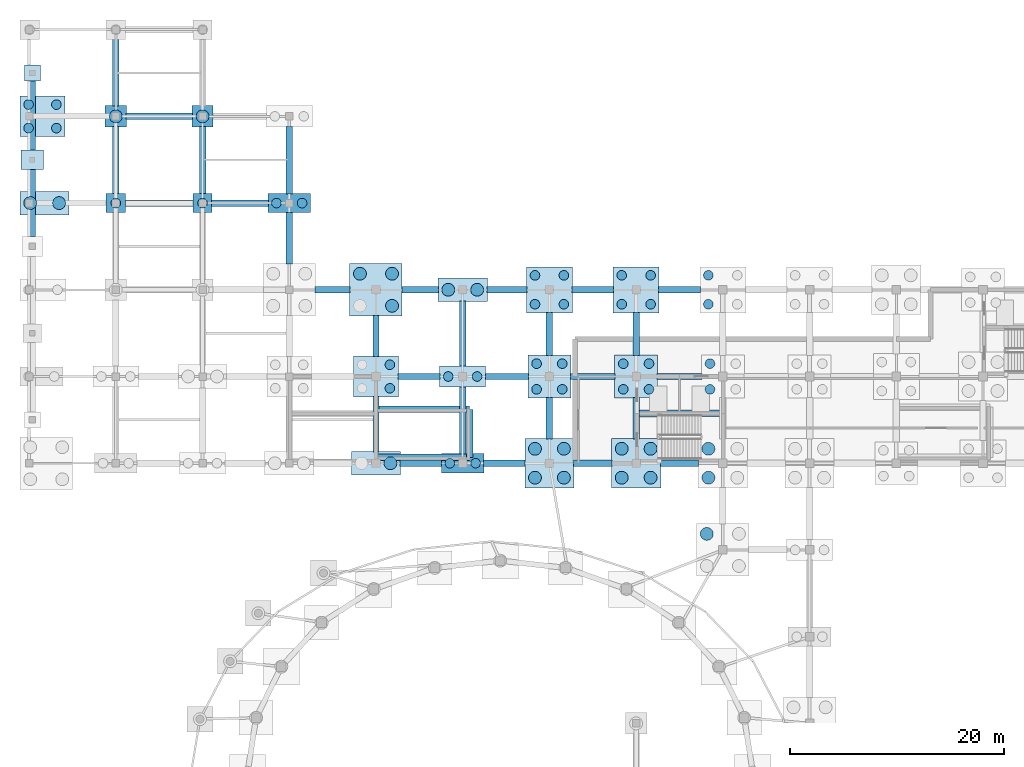
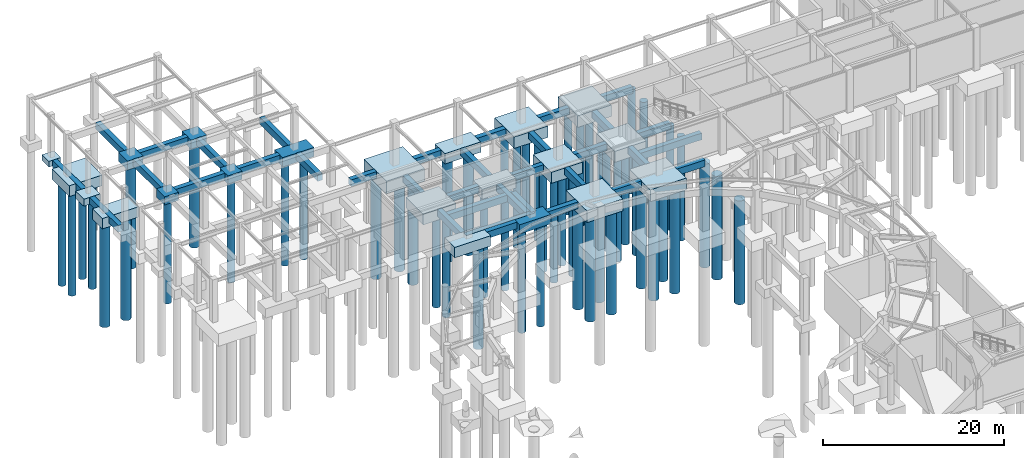
# One storey, part 4 of 26: 56 footings, 55 piles.
"""IFC4 building model written with IfcOpenShell, lengths in metres."""

from ifc_helpers import new_model, si_unit, direction, frame, origin, origin_2d, place, context, subcontext, project, spatial, rectangle, circle, extrude, material, material_profile, profile_set, type_object, element, save


model = new_model("IFC4")

# Units and contexts
model_context = context("Model", 3, precision=1e-05, world=origin(), true_north=direction((0.0, 1.0)))
body_context = subcontext(model_context, "Body", "Model", "MODEL_VIEW")
ifc_project = project(units=[si_unit("LENGTHUNIT", "METRE"), si_unit("AREAUNIT", "SQUARE_METRE"), si_unit("VOLUMEUNIT", "CUBIC_METRE"), si_unit("PLANEANGLEUNIT", "RADIAN"), si_unit("MASSUNIT", "GRAM", prefix="KILO")], contexts=[model_context])

# Site, building, storey
site_placement = place(None, origin())
site = spatial("IfcSite", under=ifc_project, at=site_placement, CompositionType="ELEMENT")
building_placement = place(site_placement, origin())
building = spatial("IfcBuilding", under=site, at=building_placement, Name="Parian Resonance Hall", CompositionType="ELEMENT")
storey_placement = place(building_placement, frame((0.0, 0.0, -5.39990234375)))
storey = spatial("IfcBuildingStorey", under=building, at=storey_placement, Name="B1", CompositionType="ELEMENT", Elevation=-5.39990234375)

# Footings
ifc_material_1 = material(Name="Concrete C35/45", Category="concrete")
ifc_material_profile_1 = material_profile(ifc_material_1, rectangle(XDim=0.60009765625, YDim=0.89990234375, at=origin_2d()), Name="RC-GB-600x900")
ifc_profile_set_1 = profile_set([ifc_material_profile_1], Name="Concrete C35/45")
footing_type_1 = type_object("IfcFootingType", Name="GB-600x900", PredefinedType="FOOTING_BEAM", material=ifc_profile_set_1)
footing_1_placement = place(storey_placement, frame((0.300048828125, 94.06005859375, -0.85009765625), z_axis=(0.0, 1.0, 0.0), x_axis=(-1.0, 0.0, 0.0)))
element("IfcFooting", 1, at=footing_1_placement, inside=storey, type_object=footing_type_1, Name="Foundation tie beam B1-003", PredefinedType="FOOTING_BEAM", context=body_context, shape_type="SweptSolid", body=[
    extrude(rectangle(XDim=0.60009765625, YDim=0.89990234375, at=origin_2d()), origin(), (0.0, 0.0, 1.0), 6.329833984375),
])
footing_2_placement = place(storey_placement, frame((0.300048828125, 102.110107421875, -0.85009765625), z_axis=(0.0, 1.0, 0.0), x_axis=(-1.0, 0.0, 0.0)))
element("IfcFooting", 2, at=footing_2_placement, inside=storey, type_object=footing_type_1, Name="Foundation tie beam B1-004", PredefinedType="FOOTING_BEAM", context=body_context, shape_type="SweptSolid", body=[
    extrude(rectangle(XDim=0.60009765625, YDim=0.89990234375, at=origin_2d()), origin(), (0.0, 0.0, 1.0), 6.52978515625),
])
footing_3_placement = place(storey_placement, frame((8.9599609375, 97.199951171875, -0.85009765625), z_axis=(1.0, 0.0, 0.0), x_axis=(0.0, 1.0, 0.0)))
element("IfcFooting", 3, at=footing_3_placement, inside=storey, type_object=footing_type_1, Name="Foundation tie beam B1-011", PredefinedType="FOOTING_BEAM", context=body_context, shape_type="SweptSolid", body=[
    extrude(rectangle(XDim=0.60009765625, YDim=0.89990234375, at=origin_2d()), origin(), (0.0, 0.0, 1.0), 6.380126953125),
])
footing_4_placement = place(storey_placement, frame((8.10009765625, 98.06005859375, -0.85009765625), z_axis=(0.0, 1.0, 0.0), x_axis=(-1.0, 0.0, 0.0)))
element("IfcFooting", 4, at=footing_4_placement, inside=storey, type_object=footing_type_1, Name="Foundation tie beam B1-012", PredefinedType="FOOTING_BEAM", context=body_context, shape_type="SweptSolid", body=[
    extrude(rectangle(XDim=0.60009765625, YDim=0.89990234375, at=origin_2d()), origin(), (0.0, 0.0, 1.0), 6.280029296875),
])
footing_5_placement = place(storey_placement, frame((9.06005859375, 105.300048828125, -0.85009765625), z_axis=(1.0, 0.0, 0.0), x_axis=(0.0, 1.0, 0.0)))
element("IfcFooting", 5, at=footing_5_placement, inside=storey, type_object=footing_type_1, Name="Foundation tie beam B1-013", PredefinedType="FOOTING_BEAM", context=body_context, shape_type="SweptSolid", body=[
    extrude(rectangle(XDim=0.60009765625, YDim=0.89990234375, at=origin_2d()), origin(), (0.0, 0.0, 1.0), 6.179931640625),
])
footing_6_placement = place(storey_placement, frame((8.10009765625, 106.260009765625, -0.85009765625), z_axis=(0.0, 1.0, 0.0), x_axis=(-1.0, 0.0, 0.0)))
element("IfcFooting", 6, at=footing_6_placement, inside=storey, type_object=footing_type_1, Name="Foundation tie beam B1-014", PredefinedType="FOOTING_BEAM", context=body_context, shape_type="SweptSolid", body=[
    extrude(rectangle(XDim=0.60009765625, YDim=0.89990234375, at=origin_2d()), origin(), (0.0, 0.0, 1.0), 6.280029296875),
])
footing_7_placement = place(storey_placement, frame((17.06005859375, 97.199951171875, -0.85009765625), z_axis=(1.0, 0.0, 0.0), x_axis=(0.0, 1.0, 0.0)))
element("IfcFooting", 7, at=footing_7_placement, inside=storey, type_object=footing_type_1, Name="Foundation tie beam B1-022", PredefinedType="FOOTING_BEAM", context=body_context, shape_type="SweptSolid", body=[
    extrude(rectangle(XDim=0.60009765625, YDim=0.89990234375, at=origin_2d()), origin(), (0.0, 0.0, 1.0), 5.280029296875),
])
footing_8_placement = place(storey_placement, frame((16.199951171875, 98.06005859375, -0.85009765625), z_axis=(0.0, 1.0, 0.0), x_axis=(-1.0, 0.0, 0.0)))
element("IfcFooting", 8, at=footing_8_placement, inside=storey, type_object=footing_type_1, Name="Foundation tie beam B1-023", PredefinedType="FOOTING_BEAM", context=body_context, shape_type="SweptSolid", body=[
    extrude(rectangle(XDim=0.60009765625, YDim=0.89990234375, at=origin_2d()), origin(), (0.0, 0.0, 1.0), 6.280029296875),
])
footing_9_placement = place(storey_placement, frame((26.7099609375, 89.10009765625, -0.85009765625), z_axis=(1.0, 0.0, 0.0), x_axis=(0.0, 1.0, 0.0)))
element("IfcFooting", 9, at=footing_9_placement, inside=storey, type_object=footing_type_1, Name="Foundation tie beam B1-030", PredefinedType="FOOTING_BEAM", context=body_context, shape_type="SweptSolid", body=[
    extrude(rectangle(XDim=0.60009765625, YDim=0.89990234375, at=origin_2d()), origin(), (0.0, 0.0, 1.0), 3.280029296875),
])
footing_10_placement = place(storey_placement, frame((24.300048828125, 91.510009765625, -0.85009765625), z_axis=(0.0, 1.0, 0.0), x_axis=(-1.0, 0.0, 0.0)))
element("IfcFooting", 10, at=footing_10_placement, inside=storey, type_object=footing_type_1, Name="Foundation tie beam B1-031", PredefinedType="FOOTING_BEAM", context=body_context, shape_type="SweptSolid", body=[
    extrude(rectangle(XDim=0.60009765625, YDim=0.89990234375, at=origin_2d()), origin(), (0.0, 0.0, 1.0), 4.830078125),
])
footing_11_placement = place(storey_placement, frame((24.300048828125, 98.06005859375, -0.85009765625), z_axis=(0.0, 1.0, 0.0), x_axis=(-1.0, 0.0, 0.0)))
element("IfcFooting", 11, at=footing_11_placement, inside=storey, type_object=footing_type_1, Name="Foundation tie beam B1-032", PredefinedType="FOOTING_BEAM", context=body_context, shape_type="SweptSolid", body=[
    extrude(rectangle(XDim=0.60009765625, YDim=0.89990234375, at=origin_2d()), origin(), (0.0, 0.0, 1.0), 6.280029296875),
])
footing_12_placement = place(storey_placement, frame((34.659912109375, 72.89990234375, -0.85009765625), z_axis=(1.0, 0.0, 0.0), x_axis=(0.0, 1.0, 0.0)))
element("IfcFooting", 12, at=footing_12_placement, inside=storey, type_object=footing_type_1, Name="Foundation tie beam B1-033", PredefinedType="FOOTING_BEAM", context=body_context, shape_type="SweptSolid", body=[
    extrude(rectangle(XDim=0.60009765625, YDim=0.89990234375, at=origin_2d()), origin(), (0.0, 0.0, 1.0), 3.880126953125),
])
footing_13_placement = place(storey_placement, frame((32.39990234375, 73.9599609375, -0.85009765625), z_axis=(0.0, 1.0, 0.0), x_axis=(-1.0, 0.0, 0.0)))
element("IfcFooting", 13, at=footing_13_placement, inside=storey, type_object=footing_type_1, Name="Foundation tie beam B1-034", PredefinedType="FOOTING_BEAM", context=body_context, shape_type="SweptSolid", body=[
    extrude(rectangle(XDim=0.60009765625, YDim=0.89990234375, at=origin_2d()), origin(), (0.0, 0.0, 1.0), 5.179931640625),
])
footing_14_placement = place(storey_placement, frame((34.4599609375, 81.0, -0.85009765625), z_axis=(1.0, 0.0, 0.0), x_axis=(0.0, 1.0, 0.0)))
element("IfcFooting", 14, at=footing_14_placement, inside=storey, type_object=footing_type_1, Name="Foundation tie beam B1-035", PredefinedType="FOOTING_BEAM", context=body_context, shape_type="SweptSolid", body=[
    extrude(rectangle(XDim=0.60009765625, YDim=0.89990234375, at=origin_2d()), origin(), (0.0, 0.0, 1.0), 3.929931640625),
])
footing_15_placement = place(storey_placement, frame((32.39990234375, 82.860107421875, -0.85009765625), z_axis=(0.0, 1.0, 0.0), x_axis=(-1.0, 0.0, 0.0)))
element("IfcFooting", 15, at=footing_15_placement, inside=storey, type_object=footing_type_1, Name="Foundation tie beam B1-036", PredefinedType="FOOTING_BEAM", context=body_context, shape_type="SweptSolid", body=[
    extrude(rectangle(XDim=0.60009765625, YDim=0.89990234375, at=origin_2d()), origin(), (0.0, 0.0, 1.0), 3.829833984375),
])
footing_16_placement = place(storey_placement, frame((34.81005859375, 89.10009765625, -0.85009765625), z_axis=(1.0, 0.0, 0.0), x_axis=(0.0, 1.0, 0.0)))
element("IfcFooting", 16, at=footing_16_placement, inside=storey, type_object=footing_type_1, Name="Foundation tie beam B1-037", PredefinedType="FOOTING_BEAM", context=body_context, shape_type="SweptSolid", body=[
    extrude(rectangle(XDim=0.60009765625, YDim=0.89990234375, at=origin_2d()), origin(), (0.0, 0.0, 1.0), 3.429931640625),
])
footing_17_placement = place(storey_placement, frame((42.4599609375, 72.89990234375, -0.85009765625), z_axis=(1.0, 0.0, 0.0), x_axis=(0.0, 1.0, 0.0)))
element("IfcFooting", 17, at=footing_17_placement, inside=storey, type_object=footing_type_1, Name="Foundation tie beam B1-038", PredefinedType="FOOTING_BEAM", context=body_context, shape_type="SweptSolid", body=[
    extrude(rectangle(XDim=0.60009765625, YDim=0.89990234375, at=origin_2d()), origin(), (0.0, 0.0, 1.0), 3.880126953125),
])
footing_18_placement = place(storey_placement, frame((40.5, 73.760009765625, -0.85009765625), z_axis=(0.0, 1.0, 0.0), x_axis=(-1.0, 0.0, 0.0)))
element("IfcFooting", 18, at=footing_18_placement, inside=storey, type_object=footing_type_1, Name="Foundation tie beam B1-039", PredefinedType="FOOTING_BEAM", context=body_context, shape_type="SweptSolid", body=[
    extrude(rectangle(XDim=0.60009765625, YDim=0.89990234375, at=origin_2d()), origin(), (0.0, 0.0, 1.0), 6.280029296875),
])
footing_19_placement = place(storey_placement, frame((42.610107421875, 81.0, -0.85009765625), z_axis=(1.0, 0.0, 0.0), x_axis=(0.0, 1.0, 0.0)))
element("IfcFooting", 19, at=footing_19_placement, inside=storey, type_object=footing_type_1, Name="Foundation tie beam B1-040", PredefinedType="FOOTING_BEAM", context=body_context, shape_type="SweptSolid", body=[
    extrude(rectangle(XDim=0.60009765625, YDim=0.89990234375, at=origin_2d()), origin(), (0.0, 0.0, 1.0), 4.02978515625),
])
footing_20_placement = place(storey_placement, frame((40.5, 81.9599609375, -0.85009765625), z_axis=(0.0, 1.0, 0.0), x_axis=(-1.0, 0.0, 0.0)))
element("IfcFooting", 20, at=footing_20_placement, inside=storey, type_object=footing_type_1, Name="Foundation tie beam B1-041", PredefinedType="FOOTING_BEAM", context=body_context, shape_type="SweptSolid", body=[
    extrude(rectangle(XDim=0.60009765625, YDim=0.89990234375, at=origin_2d()), origin(), (0.0, 0.0, 1.0), 6.080078125),
])
footing_21_placement = place(storey_placement, frame((42.760009765625, 89.10009765625, -0.85009765625), z_axis=(1.0, 0.0, 0.0), x_axis=(0.0, 1.0, 0.0)))
element("IfcFooting", 21, at=footing_21_placement, inside=storey, type_object=footing_type_1, Name="Foundation tie beam B1-042", PredefinedType="FOOTING_BEAM", context=body_context, shape_type="SweptSolid", body=[
    extrude(rectangle(XDim=0.60009765625, YDim=0.89990234375, at=origin_2d()), origin(), (0.0, 0.0, 1.0), 3.72998046875),
])
footing_22_placement = place(storey_placement, frame((50.860107421875, 72.89990234375, -0.85009765625), z_axis=(1.0, 0.0, 0.0), x_axis=(0.0, 1.0, 0.0)))
element("IfcFooting", 22, at=footing_22_placement, inside=storey, type_object=footing_type_1, Name="Foundation tie beam B1-043", PredefinedType="FOOTING_BEAM", context=body_context, shape_type="SweptSolid", body=[
    extrude(rectangle(XDim=0.60009765625, YDim=0.89990234375, at=origin_2d()), origin(), (0.0, 0.0, 1.0), 3.579833984375),
])
footing_23_placement = place(storey_placement, frame((48.60009765625, 75.159912109375, -0.85009765625), z_axis=(0.0, 1.0, 0.0), x_axis=(-1.0, 0.0, 0.0)))
element("IfcFooting", 23, at=footing_23_placement, inside=storey, type_object=footing_type_1, Name="Foundation tie beam B1-044", PredefinedType="FOOTING_BEAM", context=body_context, shape_type="SweptSolid", body=[
    extrude(rectangle(XDim=0.60009765625, YDim=0.89990234375, at=origin_2d()), origin(), (0.0, 0.0, 1.0), 3.880126953125),
])
footing_24_placement = place(storey_placement, frame((50.56005859375, 81.0, -0.85009765625), z_axis=(1.0, 0.0, 0.0), x_axis=(0.0, 1.0, 0.0)))
element("IfcFooting", 24, at=footing_24_placement, inside=storey, type_object=footing_type_1, Name="Foundation tie beam B1-045", PredefinedType="FOOTING_BEAM", context=body_context, shape_type="SweptSolid", body=[
    extrude(rectangle(XDim=0.60009765625, YDim=0.89990234375, at=origin_2d()), origin(), (0.0, 0.0, 1.0), 4.179931640625),
])
footing_25_placement = place(storey_placement, frame((48.60009765625, 82.9599609375, -0.85009765625), z_axis=(0.0, 1.0, 0.0), x_axis=(-1.0, 0.0, 0.0)))
element("IfcFooting", 25, at=footing_25_placement, inside=storey, type_object=footing_type_1, Name="Foundation tie beam B1-046", PredefinedType="FOOTING_BEAM", context=body_context, shape_type="SweptSolid", body=[
    extrude(rectangle(XDim=0.60009765625, YDim=0.89990234375, at=origin_2d()), origin(), (0.0, 0.0, 1.0), 4.030029296875),
])
footing_26_placement = place(storey_placement, frame((50.7099609375, 89.10009765625, -0.85009765625), z_axis=(1.0, 0.0, 0.0), x_axis=(0.0, 1.0, 0.0)))
element("IfcFooting", 26, at=footing_26_placement, inside=storey, type_object=footing_type_1, Name="Foundation tie beam B1-047", PredefinedType="FOOTING_BEAM", context=body_context, shape_type="SweptSolid", body=[
    extrude(rectangle(XDim=0.60009765625, YDim=0.89990234375, at=origin_2d()), origin(), (0.0, 0.0, 1.0), 3.880126953125),
])
footing_27_placement = place(storey_placement, frame((58.9599609375, 72.89990234375, -0.85009765625), z_axis=(1.0, 0.0, 0.0), x_axis=(0.0, 1.0, 0.0)))
element("IfcFooting", 27, at=footing_27_placement, inside=storey, type_object=footing_type_1, Name="Foundation tie beam B1-050", PredefinedType="FOOTING_BEAM", context=body_context, shape_type="SweptSolid", body=[
    extrude(rectangle(XDim=0.60009765625, YDim=0.89990234375, at=origin_2d()), origin(), (0.0, 0.0, 1.0), 3.580078125),
])
footing_28_placement = place(storey_placement, frame((56.699951171875, 75.159912109375, -0.85009765625), z_axis=(0.0, 1.0, 0.0), x_axis=(-1.0, 0.0, 0.0)))
element("IfcFooting", 28, at=footing_28_placement, inside=storey, type_object=footing_type_1, Name="Foundation tie beam B1-051", PredefinedType="FOOTING_BEAM", context=body_context, shape_type="SweptSolid", body=[
    extrude(rectangle(XDim=0.60009765625, YDim=0.89990234375, at=origin_2d()), origin(), (0.0, 0.0, 1.0), 3.880126953125),
])
footing_29_placement = place(storey_placement, frame((58.659912109375, 81.0, -0.85009765625), z_axis=(1.0, 0.0, 0.0), x_axis=(0.0, 1.0, 0.0)))
element("IfcFooting", 29, at=footing_29_placement, inside=storey, type_object=footing_type_1, Name="Foundation tie beam B1-052", PredefinedType="FOOTING_BEAM", context=body_context, shape_type="SweptSolid", body=[
    extrude(rectangle(XDim=0.60009765625, YDim=0.89990234375, at=origin_2d()), origin(), (0.0, 0.0, 1.0), 4.18017578125),
])
footing_30_placement = place(storey_placement, frame((56.699951171875, 82.9599609375, -0.85009765625), z_axis=(0.0, 1.0, 0.0), x_axis=(-1.0, 0.0, 0.0)))
element("IfcFooting", 30, at=footing_30_placement, inside=storey, type_object=footing_type_1, Name="Foundation tie beam B1-053", PredefinedType="FOOTING_BEAM", context=body_context, shape_type="SweptSolid", body=[
    extrude(rectangle(XDim=0.60009765625, YDim=0.89990234375, at=origin_2d()), origin(), (0.0, 0.0, 1.0), 4.030029296875),
])
footing_31_placement = place(storey_placement, frame((58.81005859375, 89.10009765625, -0.85009765625), z_axis=(1.0, 0.0, 0.0), x_axis=(0.0, 1.0, 0.0)))
element("IfcFooting", 31, at=footing_31_placement, inside=storey, type_object=footing_type_1, Name="Foundation tie beam B1-054", PredefinedType="FOOTING_BEAM", context=body_context, shape_type="SweptSolid", body=[
    extrude(rectangle(XDim=0.60009765625, YDim=0.89990234375, at=origin_2d()), origin(), (0.0, 0.0, 1.0), 3.8798828125),
])
footing_32_placement = place(storey_placement, frame((56.699951171875, 77.550048828125, -0.85009765625), z_axis=(1.0, 0.0, 0.0), x_axis=(0.0, 1.0, 0.0)))
element("IfcFooting", 32, at=footing_32_placement, inside=storey, type_object=footing_type_1, Name="Core K1 divider foundation beam", PredefinedType="FOOTING_BEAM", context=body_context, shape_type="SweptSolid", body=[
    extrude(rectangle(XDim=0.60009765625, YDim=0.89990234375, at=origin_2d()), origin(), (0.0, 0.0, 1.0), 8.10009765625),
])
for number, where, z_axis, x_axis, name in (
    (33, (32.39990234375, 73.449951171875, -0.85009765625), (1.0, 0.0, 0.0), (0.0, 1.0, 0.0), "Feature stair ST-07 foundation beam S"),
    (34, (32.39990234375, 77.929931640625, -0.85009765625), (1.0, 0.0, 0.0), (0.0, 1.0, 0.0), "Feature stair ST-07 foundation beam N"),
):
    element("IfcFooting", number, at=place(storey_placement, frame(where, z_axis=z_axis, x_axis=x_axis)), inside=storey, type_object=footing_type_1, Name=name, PredefinedType="FOOTING_BEAM", context=body_context, shape_type="SweptSolid", body=[
        extrude(rectangle(XDim=0.60009765625, YDim=0.89990234375, at=origin_2d()), origin(), (0.0, 0.0, 1.0), 8.739990234375),
    ])
footing_33_placement = place(storey_placement, frame((41.139892578125, 73.449951171875, -0.85009765625), z_axis=(0.0, 1.0, 0.0), x_axis=(-1.0, 0.0, 0.0)))
element("IfcFooting", 35, at=footing_33_placement, inside=storey, type_object=footing_type_1, Name="Feature stair ST-07 foundation beam E", PredefinedType="FOOTING_BEAM", context=body_context, shape_type="SweptSolid", body=[
    extrude(rectangle(XDim=0.60009765625, YDim=0.89990234375, at=origin_2d()), origin(), (0.0, 0.0, 1.0), 4.47998046875),
])
ifc_material_2 = material(Name="Concrete C35/45", Category="concrete")
footing_type_2 = type_object("IfcFootingType", Name="PAD-1500", PredefinedType="PAD_FOOTING", material=ifc_material_2)
footing_34_placement = place(storey_placement, frame((0.300048828125, 109.35009765625, -1.150146484375), z_axis=(0.0, 0.0, 1.0), x_axis=(1.0, 0.0, 0.0)))
element("IfcFooting", 36, at=footing_34_placement, inside=storey, type_object=footing_type_2, Name="Arcade pad footing PIL-W-13", PredefinedType="PAD_FOOTING", context=body_context, shape_type="SweptSolid", body=[
    extrude(rectangle(XDim=1.5, YDim=1.5, at=origin_2d()), origin(), (0.0, 0.0, 1.0), 0.75),
])
ifc_material_3 = material(Name="Concrete C35/45", Category="concrete")
footing_type_3 = type_object("IfcFootingType", Name="PAD-2100x1800", PredefinedType="PAD_FOOTING", material=ifc_material_3)
footing_35_placement = place(storey_placement, frame((0.300048828125, 101.25, -1.35009765625), z_axis=(0.0, 0.0, 1.0), x_axis=(1.0, 0.0, 0.0)))
element("IfcFooting", 37, at=footing_35_placement, inside=storey, type_object=footing_type_3, Name="Arcade pad footing PIL-W-12", PredefinedType="PAD_FOOTING", context=body_context, shape_type="SweptSolid", body=[
    extrude(rectangle(XDim=2.10009765625, YDim=1.800048828125, at=origin_2d()), origin(), (0.0, 0.0, 1.0), 0.949951171875),
])
ifc_material_4 = material(Name="Concrete C35/45", Category="concrete")
footing_type_4 = type_object("IfcFootingType", Name="PC-1P-1800", PredefinedType="PILE_CAP", material=ifc_material_4)
for number, where, z_axis, x_axis, name in (
    (38, (8.10009765625, 97.199951171875, -1.500244140625), (0.0, 0.0, 1.0), (1.0, 0.0, 0.0), "Pile cap G02-13"),
    (39, (16.199951171875, 97.199951171875, -1.500244140625), (0.0, 0.0, 1.0), (1.0, 0.0, 0.0), "Pile cap G03-13"),
):
    element("IfcFooting", number, at=place(storey_placement, frame(where, z_axis=z_axis, x_axis=x_axis)), inside=storey, type_object=footing_type_4, Name=name, PredefinedType="PILE_CAP", context=body_context, shape_type="SweptSolid", body=[
        extrude(rectangle(XDim=1.800048828125, YDim=1.800048828125, at=origin_2d()), origin(), (0.0, 0.0, 1.0), 1.10009765625),
    ])
ifc_material_5 = material(Name="Concrete C35/45", Category="concrete")
footing_type_5 = type_object("IfcFootingType", Name="PC-1P-2000", PredefinedType="PILE_CAP", material=ifc_material_5)
for number, where, z_axis, x_axis, name in (
    (40, (8.10009765625, 105.300048828125, -1.60009765625), (0.0, 0.0, 1.0), (1.0, 0.0, 0.0), "Pile cap G02-14"),
    (41, (16.199951171875, 105.300048828125, -1.60009765625), (0.0, 0.0, 1.0), (1.0, 0.0, 0.0), "Pile cap G03-14"),
):
    element("IfcFooting", number, at=place(storey_placement, frame(where, z_axis=z_axis, x_axis=x_axis)), inside=storey, type_object=footing_type_5, Name=name, PredefinedType="PILE_CAP", context=body_context, shape_type="SweptSolid", body=[
        extrude(rectangle(XDim=2.0, YDim=2.0, at=origin_2d()), origin(), (0.0, 0.0, 1.0), 1.199951171875),
    ])
ifc_material_6 = material(Name="Concrete C35/45", Category="concrete")
footing_type_6 = type_object("IfcFootingType", Name="PC-2P-4000x1800", PredefinedType="PILE_CAP", material=ifc_material_6)
for number, where, z_axis, x_axis, name in (
    (42, (24.300048828125, 97.199951171875, -1.650146484375), (0.0, 0.0, 1.0), (1.0, 0.0, 0.0), "Pile cap G04-13"),
    (43, (40.5, 72.89990234375, -1.650146484375), (0.0, 0.0, 1.0), (1.0, 0.0, 0.0), "Pile cap G06-10"),
):
    element("IfcFooting", number, at=place(storey_placement, frame(where, z_axis=z_axis, x_axis=x_axis)), inside=storey, type_object=footing_type_6, Name=name, PredefinedType="PILE_CAP", context=body_context, shape_type="SweptSolid", body=[
        extrude(rectangle(XDim=4.0, YDim=1.800048828125, at=origin_2d()), origin(), (0.0, 0.0, 1.0), 1.25),
    ])
ifc_material_7 = material(Name="Concrete C35/45", Category="concrete")
footing_type_7 = type_object("IfcFootingType", Name="PC-2P-4300x2000", PredefinedType="PILE_CAP", material=ifc_material_7)
footing_36_placement = place(storey_placement, frame((40.5, 81.0, -1.750244140625), z_axis=(0.0, 0.0, 1.0), x_axis=(1.0, 0.0, 0.0)))
element("IfcFooting", 44, at=footing_36_placement, inside=storey, type_object=footing_type_7, Name="Pile cap G06-11", PredefinedType="PILE_CAP", context=body_context, shape_type="SweptSolid", body=[
    extrude(rectangle(XDim=4.300048828125, YDim=2.0, at=origin_2d()), origin(), (0.0, 0.0, 1.0), 1.35009765625),
])
ifc_material_8 = material(Name="Concrete C35/45", Category="concrete")
footing_type_8 = type_object("IfcFootingType", Name="PC-2P-4600x2200", PredefinedType="PILE_CAP", material=ifc_material_8)
for number, where, z_axis, x_axis, name in (
    (45, (1.449951171875, 97.199951171875, -1.800048828125), (0.0, 0.0, 1.0), (1.0, 0.0, 0.0), "Pile cap G01-13"),
    (46, (32.39990234375, 72.89990234375, -1.800048828125), (0.0, 0.0, 1.0), (1.0, 0.0, 0.0), "Pile cap G05-10"),
    (47, (40.5, 89.10009765625, -1.800048828125), (0.0, 0.0, 1.0), (1.0, 0.0, 0.0), "Pile cap G06-12"),
):
    element("IfcFooting", number, at=place(storey_placement, frame(where, z_axis=z_axis, x_axis=x_axis)), inside=storey, type_object=footing_type_8, Name=name, PredefinedType="PILE_CAP", context=body_context, shape_type="SweptSolid", body=[
        extrude(rectangle(XDim=4.60009765625, YDim=2.199951171875, at=origin_2d()), origin(), (0.0, 0.0, 1.0), 1.39990234375),
    ])
ifc_material_9 = material(Name="Concrete C35/45", Category="concrete")
footing_type_9 = type_object("IfcFootingType", Name="PC-3P-4200x3800", PredefinedType="PILE_CAP", material=ifc_material_9)
for number, where, z_axis, x_axis, name in (
    (48, (1.25, 105.300048828125, -1.85009765625), (0.0, 0.0, 1.0), (1.0, 0.0, 0.0), "Pile cap G01-14"),
    (49, (32.39990234375, 81.0, -1.85009765625), (0.0, 0.0, 1.0), (1.0, 0.0, 0.0), "Pile cap G05-11"),
):
    element("IfcFooting", number, at=place(storey_placement, frame(where, z_axis=z_axis, x_axis=x_axis)), inside=storey, type_object=footing_type_9, Name=name, PredefinedType="PILE_CAP", context=body_context, shape_type="SweptSolid", body=[
        extrude(rectangle(XDim=4.199951171875, YDim=3.800048828125, at=origin_2d()), origin(), (0.0, 0.0, 1.0), 1.449951171875),
    ])
ifc_material_10 = material(Name="Concrete C35/45", Category="concrete")
footing_type_10 = type_object("IfcFootingType", Name="PC-4P-4000x4000", PredefinedType="PILE_CAP", material=ifc_material_10)
for number, where, z_axis, x_axis, name in (
    (50, (48.60009765625, 81.0, -1.900146484375), (0.0, 0.0, 1.0), (1.0, 0.0, 0.0), "Pile cap G07-11"),
    (51, (56.699951171875, 81.0, -1.900146484375), (0.0, 0.0, 1.0), (1.0, 0.0, 0.0), "Pile cap G08-11"),
):
    element("IfcFooting", number, at=place(storey_placement, frame(where, z_axis=z_axis, x_axis=x_axis)), inside=storey, type_object=footing_type_10, Name=name, PredefinedType="PILE_CAP", context=body_context, shape_type="SweptSolid", body=[
        extrude(rectangle(XDim=4.0, YDim=4.0, at=origin_2d()), origin(), (0.0, 0.0, 1.0), 1.5),
    ])
ifc_material_11 = material(Name="Concrete C35/45", Category="concrete")
footing_type_11 = type_object("IfcFootingType", Name="PC-4P-4300x4300", PredefinedType="PILE_CAP", material=ifc_material_11)
for number, where, z_axis, x_axis, name in (
    (52, (48.60009765625, 89.10009765625, -1.9501953125), (0.0, 0.0, 1.0), (1.0, 0.0, 0.0), "Pile cap G07-12"),
    (53, (56.699951171875, 89.10009765625, -1.9501953125), (0.0, 0.0, 1.0), (1.0, 0.0, 0.0), "Pile cap G08-12"),
):
    element("IfcFooting", number, at=place(storey_placement, frame(where, z_axis=z_axis, x_axis=x_axis)), inside=storey, type_object=footing_type_11, Name=name, PredefinedType="PILE_CAP", context=body_context, shape_type="SweptSolid", body=[
        extrude(rectangle(XDim=4.300048828125, YDim=4.300048828125, at=origin_2d()), origin(), (0.0, 0.0, 1.0), 1.550048828125),
    ])
ifc_material_12 = material(Name="Concrete C35/45", Category="concrete")
footing_type_12 = type_object("IfcFootingType", Name="PC-4P-4600x4600", PredefinedType="PILE_CAP", material=ifc_material_12)
for number, where, z_axis, x_axis, name in (
    (54, (48.60009765625, 72.89990234375, -2.000244140625), (0.0, 0.0, 1.0), (1.0, 0.0, 0.0), "Pile cap G07-10"),
    (55, (56.699951171875, 72.89990234375, -2.000244140625), (0.0, 0.0, 1.0), (1.0, 0.0, 0.0), "Pile cap G08-10"),
):
    element("IfcFooting", number, at=place(storey_placement, frame(where, z_axis=z_axis, x_axis=x_axis)), inside=storey, type_object=footing_type_12, Name=name, PredefinedType="PILE_CAP", context=body_context, shape_type="SweptSolid", body=[
        extrude(rectangle(XDim=4.60009765625, YDim=4.60009765625, at=origin_2d()), origin(), (0.0, 0.0, 1.0), 1.60009765625),
    ])
ifc_material_13 = material(Name="Concrete C35/45", Category="concrete")
footing_type_13 = type_object("IfcFootingType", Name="PC-4P-4900x4900", PredefinedType="PILE_CAP", material=ifc_material_13)
footing_37_placement = place(storey_placement, frame((32.39990234375, 89.10009765625, -2.10009765625), z_axis=(0.0, 0.0, 1.0), x_axis=(1.0, 0.0, 0.0)))
element("IfcFooting", 56, at=footing_37_placement, inside=storey, type_object=footing_type_13, Name="Pile cap G05-12", PredefinedType="PILE_CAP", context=body_context, shape_type="SweptSolid", body=[
    extrude(rectangle(XDim=4.89990234375, YDim=4.89990234375, at=origin_2d()), origin(), (0.0, 0.0, 1.0), 1.699951171875),
])

# Piles
ifc_material_14 = material(Name="Concrete C35/45", Category="concrete")
ifc_material_profile_2 = material_profile(ifc_material_14, circle(Radius=0.60009765625, at=origin_2d()), Name="PILE-D1200")
ifc_profile_set_2 = profile_set([ifc_material_profile_2], Name="Concrete C35/45")
pile_type_1 = type_object("IfcPileType", Name="PILE-1200", PredefinedType="BORED", material=ifc_profile_set_2)
for number, where, z_axis, x_axis, name in (
    (57, (0.10009765625, 97.199951171875, -1.7001953125), (0.0, 0.0, -1.0), (1.0, 0.0, 0.0), "Bored pile G01-13-1"),
    (58, (2.800048828125, 97.199951171875, -1.7001953125), (0.0, 0.0, -1.0), (1.0, 0.0, 0.0), "Bored pile G01-13-2"),
    (59, (8.10009765625, 105.300048828125, -1.5), (0.0, 0.0, -1.0), (1.0, 0.0, 0.0), "Bored pile G02-14-1"),
    (60, (16.199951171875, 105.300048828125, -1.5), (0.0, 0.0, -1.0), (1.0, 0.0, 0.0), "Bored pile G03-14-1"),
    (61, (33.75, 72.89990234375, -1.7001953125), (0.0, 0.0, -1.0), (1.0, 0.0, 0.0), "Bored pile G05-10-2"),
    (62, (30.89990234375, 90.60009765625, -2.0), (0.0, 0.0, -1.0), (1.0, 0.0, 0.0), "Bored pile G05-12-2"),
    (63, (33.89990234375, 87.60009765625, -2.0), (0.0, 0.0, -1.0), (1.0, 0.0, 0.0), "Bored pile G05-12-3"),
    (64, (33.89990234375, 90.60009765625, -2.0), (0.0, 0.0, -1.0), (1.0, 0.0, 0.0), "Bored pile G05-12-4"),
    (65, (39.14990234375, 89.10009765625, -1.7001953125), (0.0, 0.0, -1.0), (1.0, 0.0, 0.0), "Bored pile G06-12-1"),
    (66, (41.85009765625, 89.10009765625, -1.7001953125), (0.0, 0.0, -1.0), (1.0, 0.0, 0.0), "Bored pile G06-12-2"),
    (67, (47.25, 71.550048828125, -1.900146484375), (0.0, 0.0, -1.0), (1.0, 0.0, 0.0), "Bored pile G07-10-1"),
    (68, (47.25, 74.25, -1.900146484375), (0.0, 0.0, -1.0), (1.0, 0.0, 0.0), "Bored pile G07-10-2"),
    (69, (49.949951171875, 71.550048828125, -1.900146484375), (0.0, 0.0, -1.0), (1.0, 0.0, 0.0), "Bored pile G07-10-3"),
    (70, (49.949951171875, 74.25, -1.900146484375), (0.0, 0.0, -1.0), (1.0, 0.0, 0.0), "Bored pile G07-10-4"),
    (71, (55.35009765625, 71.550048828125, -1.900146484375), (0.0, 0.0, -1.0), (1.0, 0.0, 0.0), "Bored pile G08-10-1"),
    (72, (55.35009765625, 74.25, -1.900146484375), (0.0, 0.0, -1.0), (1.0, 0.0, 0.0), "Bored pile G08-10-2"),
    (73, (58.050048828125, 71.550048828125, -1.900146484375), (0.0, 0.0, -1.0), (1.0, 0.0, 0.0), "Bored pile G08-10-3"),
    (74, (58.050048828125, 74.25, -1.900146484375), (0.0, 0.0, -1.0), (1.0, 0.0, 0.0), "Bored pile G08-10-4"),
    (75, (63.300048828125, 66.300048828125, -2.0), (0.0, 0.0, -1.0), (1.0, 0.0, 0.0), "Bored pile G09-09-2"),
    (76, (63.449951171875, 71.550048828125, -1.900146484375), (0.0, 0.0, -1.0), (1.0, 0.0, 0.0), "Bored pile G09-10-1"),
    (77, (63.449951171875, 74.25, -1.900146484375), (0.0, 0.0, -1.0), (1.0, 0.0, 0.0), "Bored pile G09-10-2"),
):
    element("IfcPile", number, at=place(storey_placement, frame(where, z_axis=z_axis, x_axis=x_axis)), inside=storey, type_object=pile_type_1, Name=name, PredefinedType="BORED", context=body_context, shape_type="SweptSolid", body=[
        extrude(circle(Radius=0.60009765625, at=origin_2d()), origin(), (0.0, 0.0, 1.0), 14.0),
    ])
ifc_material_15 = material(Name="Concrete C35/45", Category="concrete")
ifc_material_profile_3 = material_profile(ifc_material_15, circle(Radius=0.449951171875, at=origin_2d()), Name="PILE-D900")
ifc_profile_set_3 = profile_set([ifc_material_profile_3], Name="Concrete C35/45")
pile_type_2 = type_object("IfcPileType", Name="PILE-900", PredefinedType="BORED", material=ifc_profile_set_3)
for number, where, z_axis, x_axis, name in (
    (78, (-0.050048828125, 104.199951171875, -1.75), (0.0, 0.0, -1.0), (1.0, 0.0, 0.0), "Bored pile G01-14-1"),
    (79, (-0.050048828125, 106.39990234375, -1.75), (0.0, 0.0, -1.0), (1.0, 0.0, 0.0), "Bored pile G01-14-2"),
    (80, (2.550048828125, 104.199951171875, -1.75), (0.0, 0.0, -1.0), (1.0, 0.0, 0.0), "Bored pile G01-14-3"),
    (81, (2.550048828125, 106.39990234375, -1.75), (0.0, 0.0, -1.0), (1.0, 0.0, 0.0), "Bored pile G01-14-4"),
    (82, (8.10009765625, 97.199951171875, -1.400146484375), (0.0, 0.0, -1.0), (1.0, 0.0, 0.0), "Bored pile G02-13-1"),
    (83, (16.199951171875, 97.199951171875, -1.400146484375), (0.0, 0.0, -1.0), (1.0, 0.0, 0.0), "Bored pile G03-13-1"),
    (84, (23.10009765625, 97.199951171875, -1.550048828125), (0.0, 0.0, -1.0), (1.0, 0.0, 0.0), "Bored pile G04-13-1"),
    (85, (25.5, 97.199951171875, -1.550048828125), (0.0, 0.0, -1.0), (1.0, 0.0, 0.0), "Bored pile G04-13-2"),
    (86, (33.699951171875, 79.89990234375, -1.75), (0.0, 0.0, -1.0), (1.0, 0.0, 0.0), "Bored pile G05-11-3"),
    (87, (33.699951171875, 82.10009765625, -1.75), (0.0, 0.0, -1.0), (1.0, 0.0, 0.0), "Bored pile G05-11-4"),
    (88, (39.300048828125, 72.89990234375, -1.550048828125), (0.0, 0.0, -1.0), (1.0, 0.0, 0.0), "Bored pile G06-10-1"),
    (89, (41.699951171875, 72.89990234375, -1.550048828125), (0.0, 0.0, -1.0), (1.0, 0.0, 0.0), "Bored pile G06-10-2"),
    (90, (39.14990234375, 81.0, -1.650146484375), (0.0, 0.0, -1.0), (1.0, 0.0, 0.0), "Bored pile G06-11-1"),
    (91, (41.85009765625, 81.0, -1.650146484375), (0.0, 0.0, -1.0), (1.0, 0.0, 0.0), "Bored pile G06-11-2"),
    (92, (47.39990234375, 79.800048828125, -1.800048828125), (0.0, 0.0, -1.0), (1.0, 0.0, 0.0), "Bored pile G07-11-1"),
    (93, (47.39990234375, 82.199951171875, -1.800048828125), (0.0, 0.0, -1.0), (1.0, 0.0, 0.0), "Bored pile G07-11-2"),
    (94, (49.800048828125, 79.800048828125, -1.800048828125), (0.0, 0.0, -1.0), (1.0, 0.0, 0.0), "Bored pile G07-11-3"),
    (95, (49.800048828125, 82.199951171875, -1.800048828125), (0.0, 0.0, -1.0), (1.0, 0.0, 0.0), "Bored pile G07-11-4"),
    (96, (47.25, 87.75, -1.85009765625), (0.0, 0.0, -1.0), (1.0, 0.0, 0.0), "Bored pile G07-12-1"),
    (97, (47.25, 90.449951171875, -1.85009765625), (0.0, 0.0, -1.0), (1.0, 0.0, 0.0), "Bored pile G07-12-2"),
    (98, (49.949951171875, 87.75, -1.85009765625), (0.0, 0.0, -1.0), (1.0, 0.0, 0.0), "Bored pile G07-12-3"),
    (99, (49.949951171875, 90.449951171875, -1.85009765625), (0.0, 0.0, -1.0), (1.0, 0.0, 0.0), "Bored pile G07-12-4"),
    (100, (55.5, 79.800048828125, -1.800048828125), (0.0, 0.0, -1.0), (1.0, 0.0, 0.0), "Bored pile G08-11-1"),
    (101, (55.5, 82.199951171875, -1.800048828125), (0.0, 0.0, -1.0), (1.0, 0.0, 0.0), "Bored pile G08-11-2"),
    (102, (57.89990234375, 79.800048828125, -1.800048828125), (0.0, 0.0, -1.0), (1.0, 0.0, 0.0), "Bored pile G08-11-3"),
    (103, (57.89990234375, 82.199951171875, -1.800048828125), (0.0, 0.0, -1.0), (1.0, 0.0, 0.0), "Bored pile G08-11-4"),
    (104, (55.35009765625, 87.75, -1.85009765625), (0.0, 0.0, -1.0), (1.0, 0.0, 0.0), "Bored pile G08-12-1"),
    (105, (55.35009765625, 90.449951171875, -1.85009765625), (0.0, 0.0, -1.0), (1.0, 0.0, 0.0), "Bored pile G08-12-2"),
    (106, (58.050048828125, 87.75, -1.85009765625), (0.0, 0.0, -1.0), (1.0, 0.0, 0.0), "Bored pile G08-12-3"),
    (107, (58.050048828125, 90.449951171875, -1.85009765625), (0.0, 0.0, -1.0), (1.0, 0.0, 0.0), "Bored pile G08-12-4"),
    (108, (63.60009765625, 79.800048828125, -1.800048828125), (0.0, 0.0, -1.0), (1.0, 0.0, 0.0), "Bored pile G09-11-1"),
    (109, (63.60009765625, 82.199951171875, -1.800048828125), (0.0, 0.0, -1.0), (1.0, 0.0, 0.0), "Bored pile G09-11-2"),
    (110, (63.449951171875, 87.75, -1.85009765625), (0.0, 0.0, -1.0), (1.0, 0.0, 0.0), "Bored pile G09-12-1"),
    (111, (63.449951171875, 90.449951171875, -1.85009765625), (0.0, 0.0, -1.0), (1.0, 0.0, 0.0), "Bored pile G09-12-2"),
):
    element("IfcPile", number, at=place(storey_placement, frame(where, z_axis=z_axis, x_axis=x_axis)), inside=storey, type_object=pile_type_2, Name=name, PredefinedType="BORED", context=body_context, shape_type="SweptSolid", body=[
        extrude(circle(Radius=0.449951171875, at=origin_2d()), origin(), (0.0, 0.0, 1.0), 14.0),
    ])

save(model, "model.ifc")
